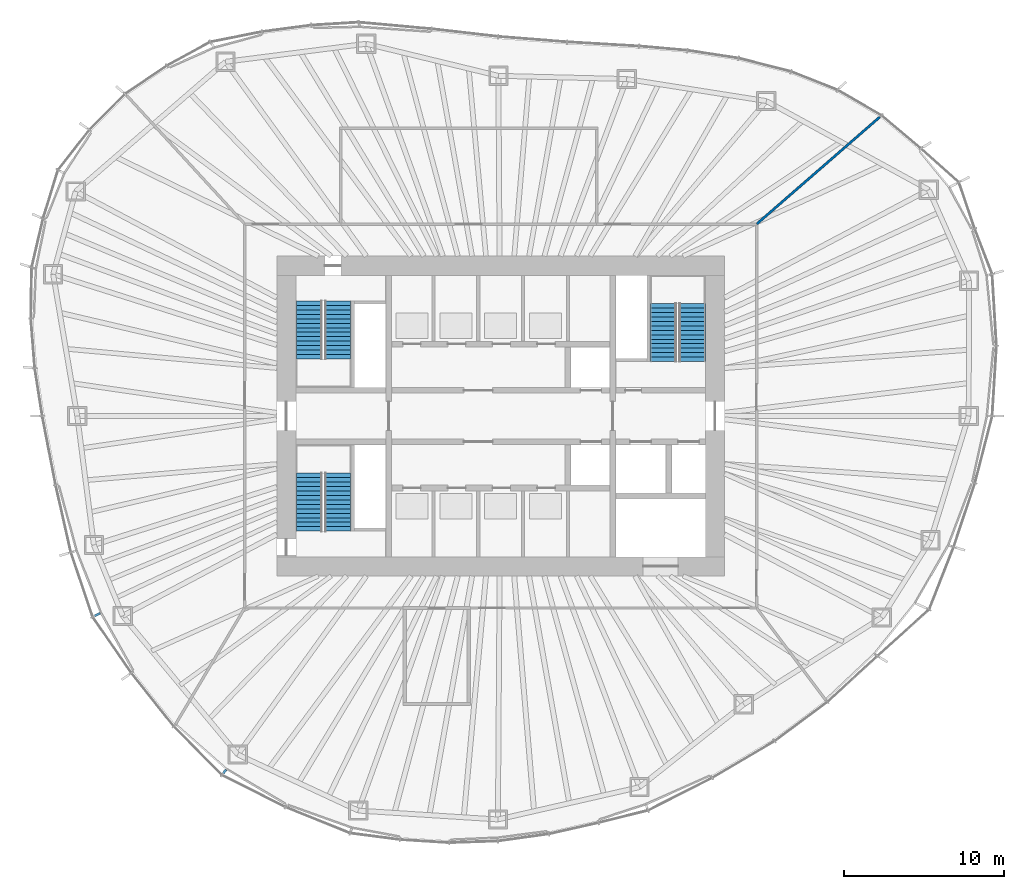
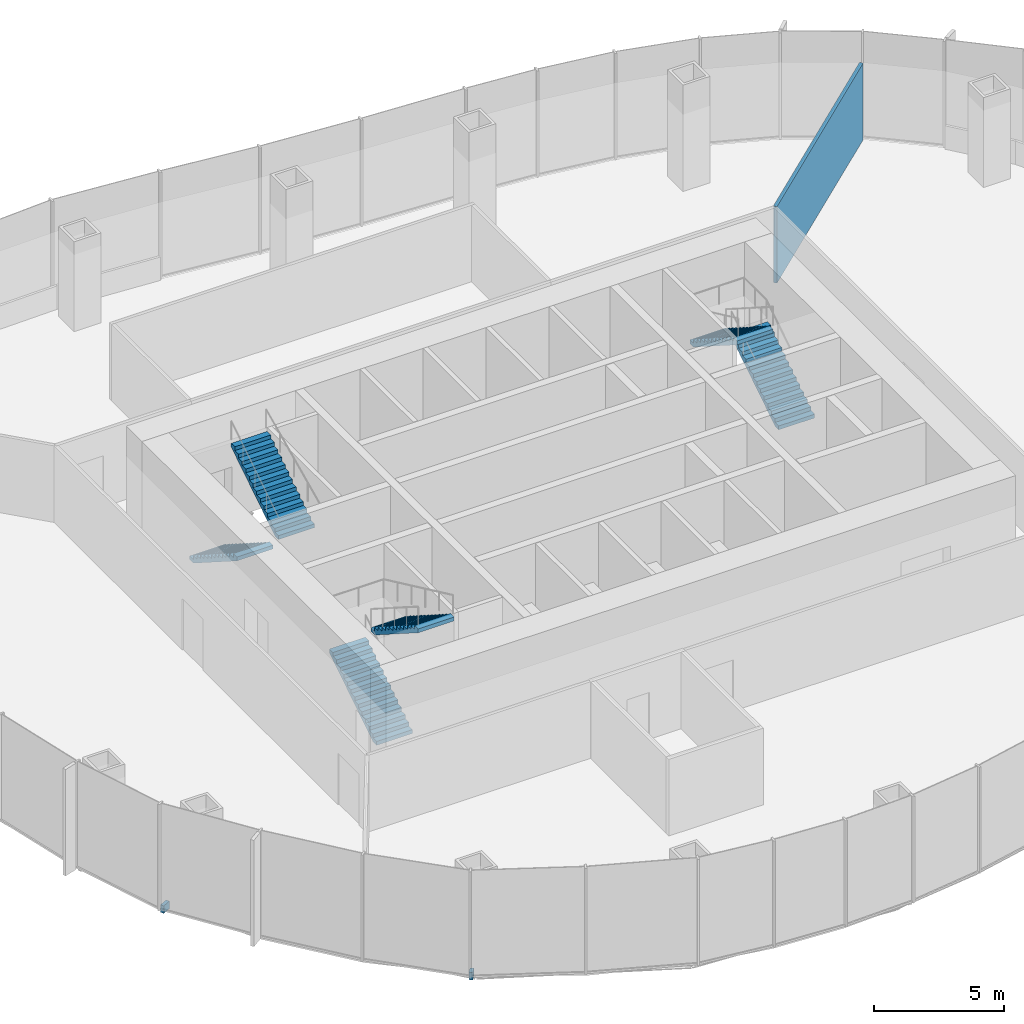
# One storey, part 10 of 18: 6 stair flights, 2 discrete accessories, 1 wall, 3 elements without a shape of their own.
"""IFC4 building model written with IfcOpenShell, lengths in metres."""

from ifc_helpers import new_model, si_unit, direction, frame, frame_2d, origin, origin_2d, place, context, subcontext, project, spatial, polyline, rectangle, outline, extrude, material, layer, layer_set, type_object, element, aggregate, save


model = new_model("IFC4")

# Units and contexts
model_context = context("Model", 3, precision=1e-05, world=origin(), true_north=direction((0.0, 1.0)))
body_context = subcontext(model_context, "Body", "Model", "MODEL_VIEW")
ifc_project = project(units=[si_unit("LENGTHUNIT", "METRE"), si_unit("AREAUNIT", "SQUARE_METRE"), si_unit("VOLUMEUNIT", "CUBIC_METRE"), si_unit("PLANEANGLEUNIT", "RADIAN"), si_unit("MASSUNIT", "GRAM", prefix="KILO")], contexts=[model_context])

# Site, building, storey
site_placement = place(None, origin())
site = spatial("IfcSite", under=ifc_project, at=site_placement, CompositionType="ELEMENT")
building_placement = place(site_placement, origin())
building = spatial("IfcBuilding", under=site, at=building_placement, Name="Ghaith Harvest Tower", CompositionType="ELEMENT")
storey_placement = place(building_placement, frame((0.0, 0.0, 184.800048828125)))
storey = spatial("IfcBuildingStorey", under=building, at=storey_placement, Name="L40", CompositionType="ELEMENT", Elevation=184.800048828125)

# Wall
ifc_material_1 = material(Name="Gypsum board on steel studs", Category="steel")
ifc_layer = layer(ifc_material_1, 0.14990234375)
ifc_layer_set = layer_set([ifc_layer], Name="PARTITION 150")
wall_type = type_object("IfcWallType", Name="PARTITION 150", PredefinedType="PARTITIONING", material=ifc_layer_set)
wall_placement = place(storey_placement, frame((16.01513671875, 12.01318359375, 0.0), z_axis=(0.0, 0.0, 1.0), x_axis=(0.754689007548, 0.656082694397, 0.0)))
element("IfcWall", 1, at=wall_placement, inside=storey, type_object=wall_type, Name="Partition L40 zone division", PredefinedType="PARTITIONING", context=body_context, shape_type="SweptSolid", body=[
    extrude(rectangle(XDim=10.1982421875, YDim=0.14990234375, at=frame_2d((5.09912109375, 0.0))), origin(), (0.0, 0.0, 1.0), 3.599853515625),
])

# Stair, stair flights
ifc_material_2 = material(Name="Concrete C40/50, precast", Category="concrete")
stair_type = type_object("IfcStairType", Name="CORE STAIR 28R", PredefinedType="HALF_TURN_STAIR", material=ifc_material_2)
stair_1_placement = place(storey_placement, origin())
stair_1 = element("IfcStair", 2, at=stair_1_placement, inside=storey, type_object=stair_type, Name="Stair ST1 L40", PredefinedType="HALF_TURN_STAIR")
ifc_material_3 = material(Name="Concrete C40/50, precast", Category="concrete")
stair_flight_type = type_object("IfcStairFlightType", Name="CORE FLIGHT 14R 1600", PredefinedType="STRAIGHT", material=ifc_material_3)
stair_flight_1_placement = place(storey_placement, frame((-12.0, 7.199951171875, 0.0), z_axis=(0.0, 0.0, 1.0), x_axis=(0.0, -1.0, 0.0)))
stair_flight_1 = element("IfcStairFlight", 3, at=stair_flight_1_placement, type_object=stair_flight_type, Name="ST1 flight 1", NumberOfRisers=14, NumberOfTreads=13, PredefinedType="STRAIGHT", RiserHeight=0.178571429, TreadLength=0.28, context=body_context, shape_type="SweptSolid", body=[
    extrude(outline(polyline([(0.0, 0.0), (0.0, 0.178466796875), (0.280029296875, 0.178466796875), (0.280029296875, 0.357177734375), (0.56005859375, 0.357177734375), (0.56005859375, 0.53564453125), (0.840087890625, 0.53564453125), (0.840087890625, 0.71435546875), (1.1201171875, 0.71435546875), (1.1201171875, 0.892822265625), (1.39990234375, 0.892822265625), (1.39990234375, 1.071533203125), (1.679931640625, 1.071533203125), (1.679931640625, 1.25), (1.9599609375, 1.25), (1.9599609375, 1.428466796875), (2.239990234375, 1.428466796875), (2.239990234375, 1.607177734375), (2.52001953125, 1.607177734375), (2.52001953125, 1.78564453125), (2.800048828125, 1.78564453125), (2.800048828125, 1.96435546875), (3.080078125, 1.96435546875), (3.080078125, 2.142822265625), (3.360107421875, 2.142822265625), (3.360107421875, 2.321533203125), (3.639892578125, 2.321533203125), (3.639892578125, 2.5), (3.639892578125, 2.1435546875), (0.27880859375, 0.0), (0.0, 0.0)])), frame((0.0, 0.800048828125, 0.0), z_axis=(0.0, -1.0, 0.0), x_axis=(1.0, 0.0, 0.0)), (0.0, 0.0, 1.0), 1.60009765625),
])
stair_flight_2_placement = place(storey_placement, frame((-10.14990234375, 3.56005859375, 2.5), z_axis=(0.0, 0.0, 1.0), x_axis=(0.0, 1.0, 0.0)))
stair_flight_2 = element("IfcStairFlight", 4, at=stair_flight_2_placement, type_object=stair_flight_type, Name="ST1 flight 2", NumberOfRisers=14, NumberOfTreads=13, PredefinedType="STRAIGHT", RiserHeight=0.178571429, TreadLength=0.28, context=body_context, shape_type="SweptSolid", body=[
    extrude(outline(polyline([(0.0, 0.0), (0.0, 0.178466796875), (0.280029296875, 0.178466796875), (0.280029296875, 0.357177734375), (0.56005859375, 0.357177734375), (0.56005859375, 0.53564453125), (0.840087890625, 0.53564453125), (0.840087890625, 0.71435546875), (1.1201171875, 0.71435546875), (1.1201171875, 0.892822265625), (1.39990234375, 0.892822265625), (1.39990234375, 1.071533203125), (1.679931640625, 1.071533203125), (1.679931640625, 1.25), (1.9599609375, 1.25), (1.9599609375, 1.428466796875), (2.239990234375, 1.428466796875), (2.239990234375, 1.607177734375), (2.52001953125, 1.607177734375), (2.52001953125, 1.78564453125), (2.800048828125, 1.78564453125), (2.800048828125, 1.96435546875), (3.080078125, 1.96435546875), (3.080078125, 2.142822265625), (3.360107421875, 2.142822265625), (3.360107421875, 2.321533203125), (3.639892578125, 2.321533203125), (3.639892578125, 2.5), (3.639892578125, 2.1435546875), (0.27880859375, 0.0), (0.0, 0.0)])), frame((0.0, 0.800048828125, 0.0), z_axis=(0.0, -1.0, 0.0), x_axis=(1.0, 0.0, 0.0)), (0.0, 0.0, 1.0), 1.60009765625),
])
aggregate(stair_1, [stair_flight_1, stair_flight_2])

stair_2_placement = place(storey_placement, origin())
stair_2 = element("IfcStair", 5, at=stair_2_placement, inside=storey, type_object=stair_type, Name="Stair ST3 L40", PredefinedType="HALF_TURN_STAIR")
stair_flight_3_placement = place(storey_placement, frame((-12.0, -7.199951171875, 0.0), z_axis=(0.0, 0.0, 1.0), x_axis=(0.0, 1.0, 0.0)))
stair_flight_3 = element("IfcStairFlight", 6, at=stair_flight_3_placement, type_object=stair_flight_type, Name="ST3 flight 1", NumberOfRisers=14, NumberOfTreads=13, PredefinedType="STRAIGHT", RiserHeight=0.178571429, TreadLength=0.28, context=body_context, shape_type="SweptSolid", body=[
    extrude(outline(polyline([(0.0, 0.0), (0.0, 0.178466796875), (0.280029296875, 0.178466796875), (0.280029296875, 0.357177734375), (0.56005859375, 0.357177734375), (0.56005859375, 0.53564453125), (0.840087890625, 0.53564453125), (0.840087890625, 0.71435546875), (1.1201171875, 0.71435546875), (1.1201171875, 0.892822265625), (1.39990234375, 0.892822265625), (1.39990234375, 1.071533203125), (1.679931640625, 1.071533203125), (1.679931640625, 1.25), (1.9599609375, 1.25), (1.9599609375, 1.428466796875), (2.239990234375, 1.428466796875), (2.239990234375, 1.607177734375), (2.52001953125, 1.607177734375), (2.52001953125, 1.78564453125), (2.800048828125, 1.78564453125), (2.800048828125, 1.96435546875), (3.080078125, 1.96435546875), (3.080078125, 2.142822265625), (3.360107421875, 2.142822265625), (3.360107421875, 2.321533203125), (3.639892578125, 2.321533203125), (3.639892578125, 2.5), (3.639892578125, 2.1435546875), (0.27880859375, 0.0), (0.0, 0.0)])), frame((0.0, 0.800048828125, 0.0), z_axis=(0.0, -1.0, 0.0), x_axis=(1.0, 0.0, 0.0)), (0.0, 0.0, 1.0), 1.60009765625),
])
stair_flight_4_placement = place(storey_placement, frame((-10.14990234375, -3.56005859375, 2.5), z_axis=(0.0, 0.0, 1.0), x_axis=(0.0, -1.0, 0.0)))
stair_flight_4 = element("IfcStairFlight", 7, at=stair_flight_4_placement, type_object=stair_flight_type, Name="ST3 flight 2", NumberOfRisers=14, NumberOfTreads=13, PredefinedType="STRAIGHT", RiserHeight=0.178571429, TreadLength=0.28, context=body_context, shape_type="SweptSolid", body=[
    extrude(outline(polyline([(0.0, 0.0), (0.0, 0.178466796875), (0.280029296875, 0.178466796875), (0.280029296875, 0.357177734375), (0.56005859375, 0.357177734375), (0.56005859375, 0.53564453125), (0.840087890625, 0.53564453125), (0.840087890625, 0.71435546875), (1.1201171875, 0.71435546875), (1.1201171875, 0.892822265625), (1.39990234375, 0.892822265625), (1.39990234375, 1.071533203125), (1.679931640625, 1.071533203125), (1.679931640625, 1.25), (1.9599609375, 1.25), (1.9599609375, 1.428466796875), (2.239990234375, 1.428466796875), (2.239990234375, 1.607177734375), (2.52001953125, 1.607177734375), (2.52001953125, 1.78564453125), (2.800048828125, 1.78564453125), (2.800048828125, 1.96435546875), (3.080078125, 1.96435546875), (3.080078125, 2.142822265625), (3.360107421875, 2.142822265625), (3.360107421875, 2.321533203125), (3.639892578125, 2.321533203125), (3.639892578125, 2.5), (3.639892578125, 2.1435546875), (0.27880859375, 0.0), (0.0, 0.0)])), frame((0.0, 0.800048828125, 0.0), z_axis=(0.0, -1.0, 0.0), x_axis=(1.0, 0.0, 0.0)), (0.0, 0.0, 1.0), 1.60009765625),
])
aggregate(stair_2, [stair_flight_3, stair_flight_4])

stair_3_placement = place(storey_placement, origin())
stair_3 = element("IfcStair", 8, at=stair_3_placement, inside=storey, type_object=stair_type, Name="Stair ST2 L40", PredefinedType="HALF_TURN_STAIR")
stair_flight_5_placement = place(storey_placement, frame((12.0, 3.39990234375, 0.0), z_axis=(0.0, 0.0, 1.0), x_axis=(0.0, 1.0, 0.0)))
stair_flight_5 = element("IfcStairFlight", 9, at=stair_flight_5_placement, type_object=stair_flight_type, Name="ST2 flight 1", NumberOfRisers=14, NumberOfTreads=13, PredefinedType="STRAIGHT", RiserHeight=0.178571429, TreadLength=0.28, context=body_context, shape_type="SweptSolid", body=[
    extrude(outline(polyline([(0.0, 0.0), (0.0, 0.178466796875), (0.280029296875, 0.178466796875), (0.280029296875, 0.357177734375), (0.56005859375, 0.357177734375), (0.56005859375, 0.53564453125), (0.840087890625, 0.53564453125), (0.840087890625, 0.71435546875), (1.1201171875, 0.71435546875), (1.1201171875, 0.892822265625), (1.39990234375, 0.892822265625), (1.39990234375, 1.071533203125), (1.679931640625, 1.071533203125), (1.679931640625, 1.25), (1.9599609375, 1.25), (1.9599609375, 1.428466796875), (2.239990234375, 1.428466796875), (2.239990234375, 1.607177734375), (2.52001953125, 1.607177734375), (2.52001953125, 1.78564453125), (2.800048828125, 1.78564453125), (2.800048828125, 1.96435546875), (3.080078125, 1.96435546875), (3.080078125, 2.142822265625), (3.360107421875, 2.142822265625), (3.360107421875, 2.321533203125), (3.639892578125, 2.321533203125), (3.639892578125, 2.5), (3.639892578125, 2.1435546875), (0.27880859375, 0.0), (0.0, 0.0)])), frame((0.0, 0.800048828125, 0.0), z_axis=(0.0, -1.0, 0.0), x_axis=(1.0, 0.0, 0.0)), (0.0, 0.0, 1.0), 1.60009765625),
])
stair_flight_6_placement = place(storey_placement, frame((10.14990234375, 7.0400390625, 2.5), z_axis=(0.0, 0.0, 1.0), x_axis=(0.0, -1.0, 0.0)))
stair_flight_6 = element("IfcStairFlight", 10, at=stair_flight_6_placement, type_object=stair_flight_type, Name="ST2 flight 2", NumberOfRisers=14, NumberOfTreads=13, PredefinedType="STRAIGHT", RiserHeight=0.178571429, TreadLength=0.28, context=body_context, shape_type="SweptSolid", body=[
    extrude(outline(polyline([(0.0, 0.0), (0.0, 0.178466796875), (0.280029296875, 0.178466796875), (0.280029296875, 0.357177734375), (0.56005859375, 0.357177734375), (0.56005859375, 0.53564453125), (0.840087890625, 0.53564453125), (0.840087890625, 0.71435546875), (1.1201171875, 0.71435546875), (1.1201171875, 0.892822265625), (1.39990234375, 0.892822265625), (1.39990234375, 1.071533203125), (1.679931640625, 1.071533203125), (1.679931640625, 1.25), (1.9599609375, 1.25), (1.9599609375, 1.428466796875), (2.239990234375, 1.428466796875), (2.239990234375, 1.607177734375), (2.52001953125, 1.607177734375), (2.52001953125, 1.78564453125), (2.800048828125, 1.78564453125), (2.800048828125, 1.96435546875), (3.080078125, 1.96435546875), (3.080078125, 2.142822265625), (3.360107421875, 2.142822265625), (3.360107421875, 2.321533203125), (3.639892578125, 2.321533203125), (3.639892578125, 2.5), (3.639892578125, 2.1435546875), (0.27880859375, 0.0), (0.0, 0.0)])), frame((0.0, 0.800048828125, 0.0), z_axis=(0.0, -1.0, 0.0), x_axis=(1.0, 0.0, 0.0)), (0.0, 0.0, 1.0), 1.60009765625),
])
aggregate(stair_3, [stair_flight_5, stair_flight_6])

# Discrete accessories
ifc_material_4 = material(Name="Stainless steel grade 1.4401", Category="steel")
discrete_accessory_type_1 = type_object("IfcDiscreteAccessoryType", Name="CURTAIN WALL BRACKET 295", PredefinedType="BRACKET", material=ifc_material_4)
discrete_accessory_1_placement = place(storey_placement, frame((-17.26025390625, -22.224609375, -0.25), z_axis=(0.0, 0.0, 1.0), x_axis=(-0.613377713774, -0.789789706343, 0.0)))
element("IfcDiscreteAccessory", 11, at=discrete_accessory_1_placement, inside=storey, type_object=discrete_accessory_type_1, Name="CW-S bracket 1 bay 14 L40", PredefinedType="BRACKET", context=body_context, shape_type="SweptSolid", body=[
    extrude(rectangle(XDim=0.294921875, YDim=0.14990234375, at=origin_2d()), origin(), (0.0, 0.0, 1.0), 0.35009765625),
])
ifc_material_5 = material(Name="Stainless steel grade 1.4401", Category="steel")
discrete_accessory_type_2 = type_object("IfcDiscreteAccessoryType", Name="CURTAIN WALL BRACKET 395", PredefinedType="BRACKET", material=ifc_material_5)
discrete_accessory_2_placement = place(storey_placement, frame((-25.219482421875, -12.41357421875, -0.25), z_axis=(0.0, 0.0, 1.0), x_axis=(-0.897201221415, -0.441621974421, 0.0)))
element("IfcDiscreteAccessory", 12, at=discrete_accessory_2_placement, inside=storey, type_object=discrete_accessory_type_2, Name="CW-S bracket 2 bay 12 L40", PredefinedType="BRACKET", context=body_context, shape_type="SweptSolid", body=[
    extrude(rectangle(XDim=0.39501953125, YDim=0.14990234375, at=origin_2d()), origin(), (0.0, 0.0, 1.0), 0.35009765625),
])

save(model, "model.ifc")
